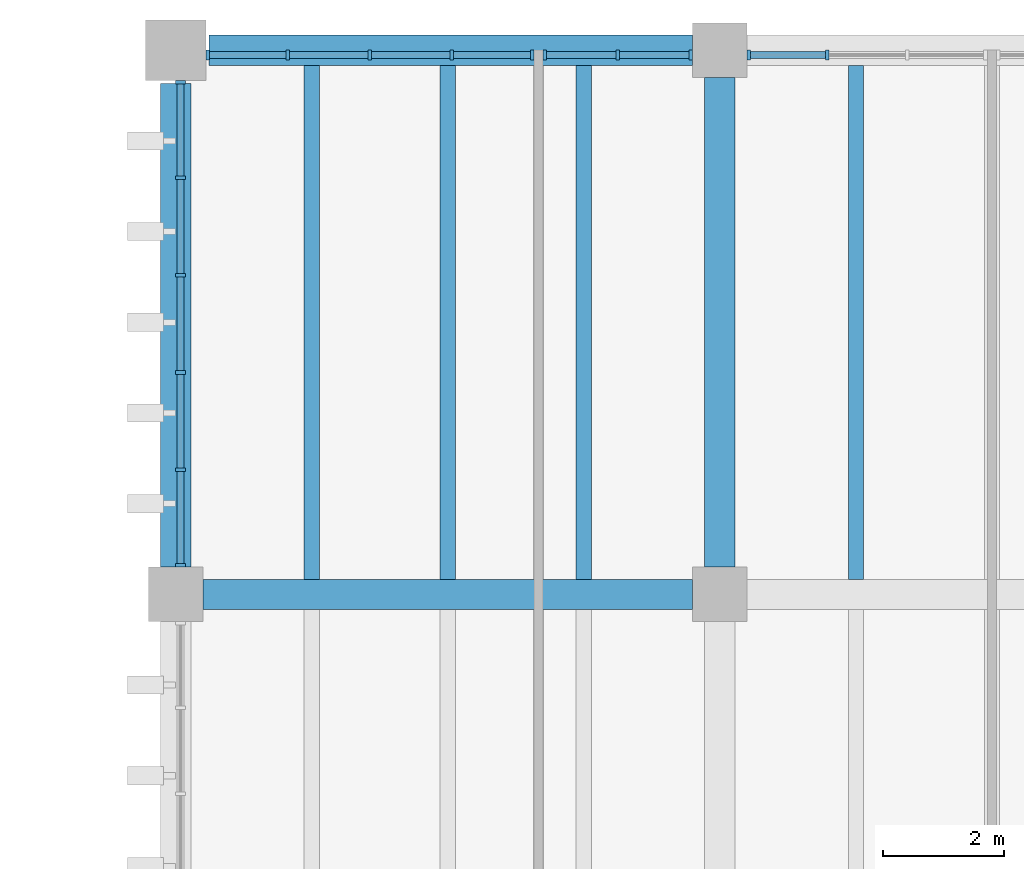
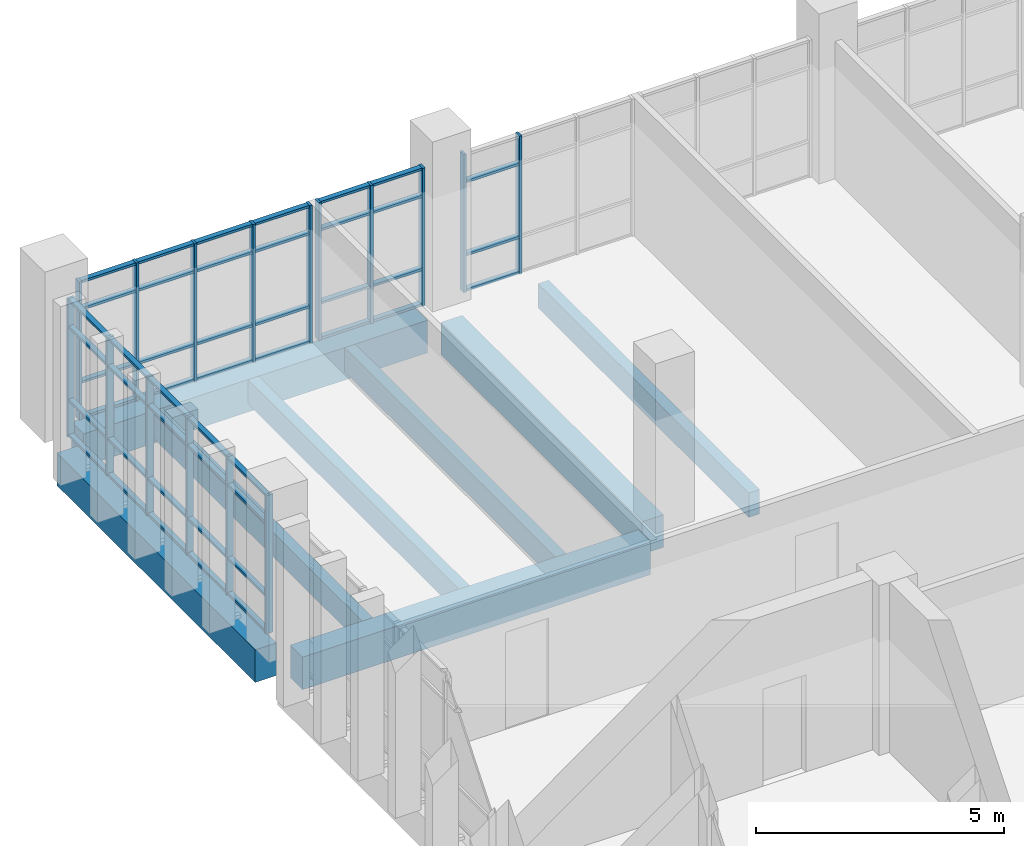
# One storey, part 33 of 88: 63 members, 8 beams, 4 elements without a shape of their own.
"""IFC4 building model written with IfcOpenShell, lengths in metres."""

from ifc_helpers import new_model, si_unit, direction, frame, origin, origin_2d, place, context, subcontext, project, spatial, rectangle, extrude, material, material_profile, profile_set, type_object, element, aggregate, save


model = new_model("IFC4")

# Units and contexts
model_context = context("Model", 3, precision=1e-05, world=origin(), true_north=direction((0.0, 1.0)))
body_context = subcontext(model_context, "Body", "Model", "MODEL_VIEW")
ifc_project = project(units=[si_unit("LENGTHUNIT", "METRE"), si_unit("AREAUNIT", "SQUARE_METRE"), si_unit("VOLUMEUNIT", "CUBIC_METRE"), si_unit("PLANEANGLEUNIT", "RADIAN"), si_unit("MASSUNIT", "GRAM", prefix="KILO")], contexts=[model_context])

# Site, building, storey
site_placement = place(None, origin())
site = spatial("IfcSite", under=ifc_project, at=site_placement, CompositionType="ELEMENT")
building_placement = place(site_placement, origin())
building = spatial("IfcBuilding", under=site, at=building_placement, Name="Merrow Basin Faculty of Sciences", CompositionType="ELEMENT")
storey_placement = place(building_placement, frame((0.0, 0.0, 9.0)))
storey = spatial("IfcBuildingStorey", under=building, at=storey_placement, Name="L02", CompositionType="ELEMENT", Elevation=9.0)

# Curtain wall, members
ifc_material_1 = material(Name="Aluminium alloy 6063", Category="aluminium")
curtain_wall_type = type_object("IfcCurtainWallType", Name="Unitised curtain wall 160", PredefinedType="NOTDEFINED", material=ifc_material_1)
curtain_wall_1_placement = place(storey_placement, origin())
curtain_wall_1 = element("IfcCurtainWall", 1, at=curtain_wall_1_placement, inside=storey, type_object=curtain_wall_type, Name="W curtain wall L02 3", PredefinedType="NOTDEFINED")
ifc_material_2 = material(Name="Aluminium alloy 6063", Category="aluminium")
ifc_material_profile_1 = material_profile(ifc_material_2, rectangle(XDim=0.159912109375, YDim=0.06005859375, at=origin_2d()))
ifc_profile_set_1 = profile_set([ifc_material_profile_1], Name="Aluminium alloy 6063")
member_type_1 = type_object("IfcMemberType", Name="Aluminium mullion 60x160", PredefinedType="MULLION", material=ifc_profile_set_1)
member_1_placement = place(storey_placement, frame((18.080078125, 160.47998046875, 0.0), z_axis=(0.0, 0.0, 1.0), x_axis=(-1.0, 0.0, 0.0)))
member_1 = element("IfcMember", 2, at=member_1_placement, type_object=member_type_1, Name="CW3 mullion 1", PredefinedType="MULLION", context=body_context, shape_type="SweptSolid", body=[
    extrude(rectangle(XDim=0.159912109375, YDim=0.06005859375, at=origin_2d()), origin(), (0.0, 0.0, 1.0), 3.39990234375),
])
member_2_placement = place(storey_placement, frame((18.080078125, 162.06005859375, 0.0), z_axis=(0.0, 0.0, 1.0), x_axis=(-1.0, 0.0, 0.0)))
member_2 = element("IfcMember", 3, at=member_2_placement, type_object=member_type_1, Name="CW3 mullion 2", PredefinedType="MULLION", context=body_context, shape_type="SweptSolid", body=[
    extrude(rectangle(XDim=0.159912109375, YDim=0.06005859375, at=origin_2d()), origin(), (0.0, 0.0, 1.0), 3.39990234375),
])
member_3_placement = place(storey_placement, frame((18.080078125, 163.669921875, 0.0), z_axis=(0.0, 0.0, 1.0), x_axis=(-1.0, 0.0, 0.0)))
member_3 = element("IfcMember", 4, at=member_3_placement, type_object=member_type_1, Name="CW3 mullion 3", PredefinedType="MULLION", context=body_context, shape_type="SweptSolid", body=[
    extrude(rectangle(XDim=0.159912109375, YDim=0.06005859375, at=origin_2d()), origin(), (0.0, 0.0, 1.0), 3.39990234375),
])
member_4_placement = place(storey_placement, frame((18.080078125, 165.280029296875, 0.0), z_axis=(0.0, 0.0, 1.0), x_axis=(-1.0, 0.0, 0.0)))
member_4 = element("IfcMember", 5, at=member_4_placement, type_object=member_type_1, Name="CW3 mullion 4", PredefinedType="MULLION", context=body_context, shape_type="SweptSolid", body=[
    extrude(rectangle(XDim=0.159912109375, YDim=0.06005859375, at=origin_2d()), origin(), (0.0, 0.0, 1.0), 3.39990234375),
])
member_5_placement = place(storey_placement, frame((18.080078125, 166.889892578125, 0.0), z_axis=(0.0, 0.0, 1.0), x_axis=(-1.0, 0.0, 0.0)))
member_5 = element("IfcMember", 6, at=member_5_placement, type_object=member_type_1, Name="CW3 mullion 5", PredefinedType="MULLION", context=body_context, shape_type="SweptSolid", body=[
    extrude(rectangle(XDim=0.159912109375, YDim=0.06005859375, at=origin_2d()), origin(), (0.0, 0.0, 1.0), 3.39990234375),
])
member_6_placement = place(storey_placement, frame((18.080078125, 168.469970703125, 0.0), z_axis=(0.0, 0.0, 1.0), x_axis=(-1.0, 0.0, 0.0)))
member_6 = element("IfcMember", 7, at=member_6_placement, type_object=member_type_1, Name="CW3 mullion 6", PredefinedType="MULLION", context=body_context, shape_type="SweptSolid", body=[
    extrude(rectangle(XDim=0.159912109375, YDim=0.06005859375, at=origin_2d()), origin(), (0.0, 0.0, 1.0), 3.39990234375),
])

curtain_wall_2_placement = place(storey_placement, origin())
curtain_wall_2 = element("IfcCurtainWall", 8, at=curtain_wall_2_placement, inside=storey, type_object=curtain_wall_type, Name="N curtain wall L02 1", PredefinedType="NOTDEFINED")
member_7_placement = place(storey_placement, frame((18.530029296875, 168.919921875, 0.0), z_axis=(0.0, 0.0, 1.0), x_axis=(0.0, 1.0, 0.0)))
member_7 = element("IfcMember", 9, at=member_7_placement, type_object=member_type_1, Name="CW3 mullion 1", PredefinedType="MULLION", context=body_context, shape_type="SweptSolid", body=[
    extrude(rectangle(XDim=0.159912109375, YDim=0.06005859375, at=origin_2d()), origin(), (0.0, 0.0, 1.0), 3.39990234375),
])
member_8_placement = place(storey_placement, frame((19.856201171875, 168.919921875, 0.0), z_axis=(0.0, 0.0, 1.0), x_axis=(0.0, 1.0, 0.0)))
member_8 = element("IfcMember", 10, at=member_8_placement, type_object=member_type_1, Name="CW3 mullion 2", PredefinedType="MULLION", context=body_context, shape_type="SweptSolid", body=[
    extrude(rectangle(XDim=0.159912109375, YDim=0.06005859375, at=origin_2d()), origin(), (0.0, 0.0, 1.0), 3.39990234375),
])
member_9_placement = place(storey_placement, frame((21.21240234375, 168.919921875, 0.0), z_axis=(0.0, 0.0, 1.0), x_axis=(0.0, 1.0, 0.0)))
member_9 = element("IfcMember", 11, at=member_9_placement, type_object=member_type_1, Name="CW3 mullion 3", PredefinedType="MULLION", context=body_context, shape_type="SweptSolid", body=[
    extrude(rectangle(XDim=0.159912109375, YDim=0.06005859375, at=origin_2d()), origin(), (0.0, 0.0, 1.0), 3.39990234375),
])
member_10_placement = place(storey_placement, frame((22.56884765625, 168.919921875, 0.0), z_axis=(0.0, 0.0, 1.0), x_axis=(0.0, 1.0, 0.0)))
member_10 = element("IfcMember", 12, at=member_10_placement, type_object=member_type_1, Name="CW3 mullion 4", PredefinedType="MULLION", context=body_context, shape_type="SweptSolid", body=[
    extrude(rectangle(XDim=0.159912109375, YDim=0.06005859375, at=origin_2d()), origin(), (0.0, 0.0, 1.0), 3.39990234375),
])
member_11_placement = place(storey_placement, frame((23.89501953125, 168.919921875, 0.0), z_axis=(0.0, 0.0, 1.0), x_axis=(0.0, 1.0, 0.0)))
member_11 = element("IfcMember", 13, at=member_11_placement, type_object=member_type_1, Name="CW3 mullion 5", PredefinedType="MULLION", context=body_context, shape_type="SweptSolid", body=[
    extrude(rectangle(XDim=0.159912109375, YDim=0.06005859375, at=origin_2d()), origin(), (0.0, 0.0, 1.0), 3.39990234375),
])

curtain_wall_3_placement = place(storey_placement, origin())
curtain_wall_3 = element("IfcCurtainWall", 14, at=curtain_wall_3_placement, inside=storey, type_object=curtain_wall_type, Name="N curtain wall L02 2", PredefinedType="NOTDEFINED")
member_12_placement = place(storey_placement, frame((24.10498046875, 168.919921875, 0.0), z_axis=(0.0, 0.0, 1.0), x_axis=(0.0, 1.0, 0.0)))
member_12 = element("IfcMember", 15, at=member_12_placement, type_object=member_type_1, Name="CW3 mullion 1", PredefinedType="MULLION", context=body_context, shape_type="SweptSolid", body=[
    extrude(rectangle(XDim=0.159912109375, YDim=0.06005859375, at=origin_2d()), origin(), (0.0, 0.0, 1.0), 3.39990234375),
])
member_13_placement = place(storey_placement, frame((25.3125, 168.919921875, 0.0), z_axis=(0.0, 0.0, 1.0), x_axis=(0.0, 1.0, 0.0)))
member_13 = element("IfcMember", 16, at=member_13_placement, type_object=member_type_1, Name="CW3 mullion 2", PredefinedType="MULLION", context=body_context, shape_type="SweptSolid", body=[
    extrude(rectangle(XDim=0.159912109375, YDim=0.06005859375, at=origin_2d()), origin(), (0.0, 0.0, 1.0), 3.39990234375),
])
member_14_placement = place(storey_placement, frame((26.52001953125, 168.919921875, 0.0), z_axis=(0.0, 0.0, 1.0), x_axis=(0.0, 1.0, 0.0)))
member_14 = element("IfcMember", 17, at=member_14_placement, type_object=member_type_1, Name="CW3 mullion 3", PredefinedType="MULLION", context=body_context, shape_type="SweptSolid", body=[
    extrude(rectangle(XDim=0.159912109375, YDim=0.06005859375, at=origin_2d()), origin(), (0.0, 0.0, 1.0), 3.39990234375),
])

curtain_wall_4_placement = place(storey_placement, origin())
curtain_wall_4 = element("IfcCurtainWall", 18, at=curtain_wall_4_placement, inside=storey, type_object=curtain_wall_type, Name="N curtain wall L02 3", PredefinedType="NOTDEFINED")
member_15_placement = place(storey_placement, frame((27.47998046875, 168.919921875, 0.0), z_axis=(0.0, 0.0, 1.0), x_axis=(0.0, 1.0, 0.0)))
member_15 = element("IfcMember", 19, at=member_15_placement, type_object=member_type_1, Name="CW3 mullion 1", PredefinedType="MULLION", context=body_context, shape_type="SweptSolid", body=[
    extrude(rectangle(XDim=0.159912109375, YDim=0.06005859375, at=origin_2d()), origin(), (0.0, 0.0, 1.0), 3.39990234375),
])
member_16_placement = place(storey_placement, frame((28.77490234375, 168.919921875, 0.0), z_axis=(0.0, 0.0, 1.0), x_axis=(0.0, 1.0, 0.0)))
member_16 = element("IfcMember", 20, at=member_16_placement, type_object=member_type_1, Name="CW3 mullion 2", PredefinedType="MULLION", context=body_context, shape_type="SweptSolid", body=[
    extrude(rectangle(XDim=0.159912109375, YDim=0.06005859375, at=origin_2d()), origin(), (0.0, 0.0, 1.0), 3.39990234375),
])

# Member
ifc_material_3 = material(Name="Aluminium alloy 6063", Category="aluminium")
ifc_material_profile_2 = material_profile(ifc_material_3, rectangle(XDim=0.1201171875, YDim=0.06005859375, at=origin_2d()))
ifc_profile_set_2 = profile_set([ifc_material_profile_2], Name="Aluminium alloy 6063")
member_type_2 = type_object("IfcMemberType", Name="Aluminium transom 60x120", PredefinedType="USERDEFINED", material=ifc_profile_set_2)
member_17_placement = place(storey_placement, frame((18.080078125, 160.510009765625, 0.030029296875), z_axis=(0.0, 1.0, 0.0), x_axis=(-1.0, 0.0, 0.0)))
member_17 = element("IfcMember", 21, at=member_17_placement, type_object=member_type_2, Name="CW3 transom 1.1", ObjectType="TRANSOM", PredefinedType="USERDEFINED", context=body_context, shape_type="SweptSolid", body=[
    extrude(rectangle(XDim=0.1201171875, YDim=0.06005859375, at=origin_2d()), origin(), (0.0, 0.0, 1.0), 1.52001953125),
])

member_18_placement = place(storey_placement, frame((18.080078125, 160.510009765625, 0.89990234375), z_axis=(0.0, 1.0, 0.0), x_axis=(-1.0, 0.0, 0.0)))
member_18 = element("IfcMember", 22, at=member_18_placement, type_object=member_type_2, Name="CW3 transom 1.2", ObjectType="TRANSOM", PredefinedType="USERDEFINED", context=body_context, shape_type="SweptSolid", body=[
    extrude(rectangle(XDim=0.1201171875, YDim=0.06005859375, at=origin_2d()), origin(), (0.0, 0.0, 1.0), 1.52001953125),
])

member_19_placement = place(storey_placement, frame((18.080078125, 160.510009765625, 2.699951171875), z_axis=(0.0, 1.0, 0.0), x_axis=(-1.0, 0.0, 0.0)))
member_19 = element("IfcMember", 23, at=member_19_placement, type_object=member_type_2, Name="CW3 transom 1.3", ObjectType="TRANSOM", PredefinedType="USERDEFINED", context=body_context, shape_type="SweptSolid", body=[
    extrude(rectangle(XDim=0.1201171875, YDim=0.06005859375, at=origin_2d()), origin(), (0.0, 0.0, 1.0), 1.52001953125),
])

member_20_placement = place(storey_placement, frame((18.080078125, 160.510009765625, 3.3701171875), z_axis=(0.0, 1.0, 0.0), x_axis=(-1.0, 0.0, 0.0)))
member_20 = element("IfcMember", 24, at=member_20_placement, type_object=member_type_2, Name="CW3 transom 1.4", ObjectType="TRANSOM", PredefinedType="USERDEFINED", context=body_context, shape_type="SweptSolid", body=[
    extrude(rectangle(XDim=0.1201171875, YDim=0.06005859375, at=origin_2d()), origin(), (0.0, 0.0, 1.0), 1.52001953125),
])

member_21_placement = place(storey_placement, frame((18.080078125, 162.090087890625, 0.030029296875), z_axis=(0.0, 1.0, 0.0), x_axis=(-1.0, 0.0, 0.0)))
member_21 = element("IfcMember", 25, at=member_21_placement, type_object=member_type_2, Name="CW3 transom 2.1", ObjectType="TRANSOM", PredefinedType="USERDEFINED", context=body_context, shape_type="SweptSolid", body=[
    extrude(rectangle(XDim=0.1201171875, YDim=0.06005859375, at=origin_2d()), origin(), (0.0, 0.0, 1.0), 1.5498046875),
])

member_22_placement = place(storey_placement, frame((18.080078125, 162.090087890625, 0.89990234375), z_axis=(0.0, 1.0, 0.0), x_axis=(-1.0, 0.0, 0.0)))
member_22 = element("IfcMember", 26, at=member_22_placement, type_object=member_type_2, Name="CW3 transom 2.2", ObjectType="TRANSOM", PredefinedType="USERDEFINED", context=body_context, shape_type="SweptSolid", body=[
    extrude(rectangle(XDim=0.1201171875, YDim=0.06005859375, at=origin_2d()), origin(), (0.0, 0.0, 1.0), 1.5498046875),
])

member_23_placement = place(storey_placement, frame((18.080078125, 162.090087890625, 2.699951171875), z_axis=(0.0, 1.0, 0.0), x_axis=(-1.0, 0.0, 0.0)))
member_23 = element("IfcMember", 27, at=member_23_placement, type_object=member_type_2, Name="CW3 transom 2.3", ObjectType="TRANSOM", PredefinedType="USERDEFINED", context=body_context, shape_type="SweptSolid", body=[
    extrude(rectangle(XDim=0.1201171875, YDim=0.06005859375, at=origin_2d()), origin(), (0.0, 0.0, 1.0), 1.5498046875),
])

member_24_placement = place(storey_placement, frame((18.080078125, 162.090087890625, 3.3701171875), z_axis=(0.0, 1.0, 0.0), x_axis=(-1.0, 0.0, 0.0)))
member_24 = element("IfcMember", 28, at=member_24_placement, type_object=member_type_2, Name="CW3 transom 2.4", ObjectType="TRANSOM", PredefinedType="USERDEFINED", context=body_context, shape_type="SweptSolid", body=[
    extrude(rectangle(XDim=0.1201171875, YDim=0.06005859375, at=origin_2d()), origin(), (0.0, 0.0, 1.0), 1.5498046875),
])

member_25_placement = place(storey_placement, frame((18.080078125, 163.699951171875, 0.030029296875), z_axis=(0.0, 1.0, 0.0), x_axis=(-1.0, 0.0, 0.0)))
member_25 = element("IfcMember", 29, at=member_25_placement, type_object=member_type_2, Name="CW3 transom 3.1", ObjectType="TRANSOM", PredefinedType="USERDEFINED", context=body_context, shape_type="SweptSolid", body=[
    extrude(rectangle(XDim=0.1201171875, YDim=0.06005859375, at=origin_2d()), origin(), (0.0, 0.0, 1.0), 1.550048828125),
])

member_26_placement = place(storey_placement, frame((18.080078125, 163.699951171875, 0.89990234375), z_axis=(0.0, 1.0, 0.0), x_axis=(-1.0, 0.0, 0.0)))
member_26 = element("IfcMember", 30, at=member_26_placement, type_object=member_type_2, Name="CW3 transom 3.2", ObjectType="TRANSOM", PredefinedType="USERDEFINED", context=body_context, shape_type="SweptSolid", body=[
    extrude(rectangle(XDim=0.1201171875, YDim=0.06005859375, at=origin_2d()), origin(), (0.0, 0.0, 1.0), 1.550048828125),
])

member_27_placement = place(storey_placement, frame((18.080078125, 163.699951171875, 2.699951171875), z_axis=(0.0, 1.0, 0.0), x_axis=(-1.0, 0.0, 0.0)))
member_27 = element("IfcMember", 31, at=member_27_placement, type_object=member_type_2, Name="CW3 transom 3.3", ObjectType="TRANSOM", PredefinedType="USERDEFINED", context=body_context, shape_type="SweptSolid", body=[
    extrude(rectangle(XDim=0.1201171875, YDim=0.06005859375, at=origin_2d()), origin(), (0.0, 0.0, 1.0), 1.550048828125),
])

member_28_placement = place(storey_placement, frame((18.080078125, 163.699951171875, 3.3701171875), z_axis=(0.0, 1.0, 0.0), x_axis=(-1.0, 0.0, 0.0)))
member_28 = element("IfcMember", 32, at=member_28_placement, type_object=member_type_2, Name="CW3 transom 3.4", ObjectType="TRANSOM", PredefinedType="USERDEFINED", context=body_context, shape_type="SweptSolid", body=[
    extrude(rectangle(XDim=0.1201171875, YDim=0.06005859375, at=origin_2d()), origin(), (0.0, 0.0, 1.0), 1.550048828125),
])

member_29_placement = place(storey_placement, frame((18.080078125, 165.31005859375, 0.030029296875), z_axis=(0.0, 1.0, 0.0), x_axis=(-1.0, 0.0, 0.0)))
member_29 = element("IfcMember", 33, at=member_29_placement, type_object=member_type_2, Name="CW3 transom 4.1", ObjectType="TRANSOM", PredefinedType="USERDEFINED", context=body_context, shape_type="SweptSolid", body=[
    extrude(rectangle(XDim=0.1201171875, YDim=0.06005859375, at=origin_2d()), origin(), (0.0, 0.0, 1.0), 1.550048828125),
])

member_30_placement = place(storey_placement, frame((18.080078125, 165.31005859375, 0.89990234375), z_axis=(0.0, 1.0, 0.0), x_axis=(-1.0, 0.0, 0.0)))
member_30 = element("IfcMember", 34, at=member_30_placement, type_object=member_type_2, Name="CW3 transom 4.2", ObjectType="TRANSOM", PredefinedType="USERDEFINED", context=body_context, shape_type="SweptSolid", body=[
    extrude(rectangle(XDim=0.1201171875, YDim=0.06005859375, at=origin_2d()), origin(), (0.0, 0.0, 1.0), 1.550048828125),
])

member_31_placement = place(storey_placement, frame((18.080078125, 165.31005859375, 2.699951171875), z_axis=(0.0, 1.0, 0.0), x_axis=(-1.0, 0.0, 0.0)))
member_31 = element("IfcMember", 35, at=member_31_placement, type_object=member_type_2, Name="CW3 transom 4.3", ObjectType="TRANSOM", PredefinedType="USERDEFINED", context=body_context, shape_type="SweptSolid", body=[
    extrude(rectangle(XDim=0.1201171875, YDim=0.06005859375, at=origin_2d()), origin(), (0.0, 0.0, 1.0), 1.550048828125),
])

member_32_placement = place(storey_placement, frame((18.080078125, 165.31005859375, 3.3701171875), z_axis=(0.0, 1.0, 0.0), x_axis=(-1.0, 0.0, 0.0)))
member_32 = element("IfcMember", 36, at=member_32_placement, type_object=member_type_2, Name="CW3 transom 4.4", ObjectType="TRANSOM", PredefinedType="USERDEFINED", context=body_context, shape_type="SweptSolid", body=[
    extrude(rectangle(XDim=0.1201171875, YDim=0.06005859375, at=origin_2d()), origin(), (0.0, 0.0, 1.0), 1.550048828125),
])

member_33_placement = place(storey_placement, frame((18.080078125, 166.919921875, 0.030029296875), z_axis=(0.0, 1.0, 0.0), x_axis=(-1.0, 0.0, 0.0)))
member_33 = element("IfcMember", 37, at=member_33_placement, type_object=member_type_2, Name="CW3 transom 5.1", ObjectType="TRANSOM", PredefinedType="USERDEFINED", context=body_context, shape_type="SweptSolid", body=[
    extrude(rectangle(XDim=0.1201171875, YDim=0.06005859375, at=origin_2d()), origin(), (0.0, 0.0, 1.0), 1.52001953125),
])

member_34_placement = place(storey_placement, frame((18.080078125, 166.919921875, 0.89990234375), z_axis=(0.0, 1.0, 0.0), x_axis=(-1.0, 0.0, 0.0)))
member_34 = element("IfcMember", 38, at=member_34_placement, type_object=member_type_2, Name="CW3 transom 5.2", ObjectType="TRANSOM", PredefinedType="USERDEFINED", context=body_context, shape_type="SweptSolid", body=[
    extrude(rectangle(XDim=0.1201171875, YDim=0.06005859375, at=origin_2d()), origin(), (0.0, 0.0, 1.0), 1.52001953125),
])

member_35_placement = place(storey_placement, frame((18.080078125, 166.919921875, 2.699951171875), z_axis=(0.0, 1.0, 0.0), x_axis=(-1.0, 0.0, 0.0)))
member_35 = element("IfcMember", 39, at=member_35_placement, type_object=member_type_2, Name="CW3 transom 5.3", ObjectType="TRANSOM", PredefinedType="USERDEFINED", context=body_context, shape_type="SweptSolid", body=[
    extrude(rectangle(XDim=0.1201171875, YDim=0.06005859375, at=origin_2d()), origin(), (0.0, 0.0, 1.0), 1.52001953125),
])

member_36_placement = place(storey_placement, frame((18.080078125, 166.919921875, 3.3701171875), z_axis=(0.0, 1.0, 0.0), x_axis=(-1.0, 0.0, 0.0)))
member_36 = element("IfcMember", 40, at=member_36_placement, type_object=member_type_2, Name="CW3 transom 5.4", ObjectType="TRANSOM", PredefinedType="USERDEFINED", context=body_context, shape_type="SweptSolid", body=[
    extrude(rectangle(XDim=0.1201171875, YDim=0.06005859375, at=origin_2d()), origin(), (0.0, 0.0, 1.0), 1.52001953125),
])

aggregate(curtain_wall_1, [member_1, member_2, member_3, member_4, member_5, member_6, member_17, member_18, member_19, member_20, member_21, member_22, member_23, member_24, member_25, member_26, member_27, member_28, member_29, member_30, member_31, member_32, member_33, member_34, member_35, member_36])

member_37_placement = place(storey_placement, frame((18.56005859375, 168.919921875, 0.030029296875), z_axis=(1.0, 0.0, 0.0), x_axis=(0.0, 1.0, 0.0)))
member_37 = element("IfcMember", 41, at=member_37_placement, type_object=member_type_2, Name="CW3 transom 1.1", ObjectType="TRANSOM", PredefinedType="USERDEFINED", context=body_context, shape_type="SweptSolid", body=[
    extrude(rectangle(XDim=0.1201171875, YDim=0.06005859375, at=origin_2d()), origin(), (0.0, 0.0, 1.0), 1.26611328125),
])

member_38_placement = place(storey_placement, frame((18.56005859375, 168.919921875, 0.89990234375), z_axis=(1.0, 0.0, 0.0), x_axis=(0.0, 1.0, 0.0)))
member_38 = element("IfcMember", 42, at=member_38_placement, type_object=member_type_2, Name="CW3 transom 1.2", ObjectType="TRANSOM", PredefinedType="USERDEFINED", context=body_context, shape_type="SweptSolid", body=[
    extrude(rectangle(XDim=0.1201171875, YDim=0.06005859375, at=origin_2d()), origin(), (0.0, 0.0, 1.0), 1.26611328125),
])

member_39_placement = place(storey_placement, frame((18.56005859375, 168.919921875, 2.699951171875), z_axis=(1.0, 0.0, 0.0), x_axis=(0.0, 1.0, 0.0)))
member_39 = element("IfcMember", 43, at=member_39_placement, type_object=member_type_2, Name="CW3 transom 1.3", ObjectType="TRANSOM", PredefinedType="USERDEFINED", context=body_context, shape_type="SweptSolid", body=[
    extrude(rectangle(XDim=0.1201171875, YDim=0.06005859375, at=origin_2d()), origin(), (0.0, 0.0, 1.0), 1.26611328125),
])

member_40_placement = place(storey_placement, frame((18.56005859375, 168.919921875, 3.3701171875), z_axis=(1.0, 0.0, 0.0), x_axis=(0.0, 1.0, 0.0)))
member_40 = element("IfcMember", 44, at=member_40_placement, type_object=member_type_2, Name="CW3 transom 1.4", ObjectType="TRANSOM", PredefinedType="USERDEFINED", context=body_context, shape_type="SweptSolid", body=[
    extrude(rectangle(XDim=0.1201171875, YDim=0.06005859375, at=origin_2d()), origin(), (0.0, 0.0, 1.0), 1.26611328125),
])

member_41_placement = place(storey_placement, frame((19.88623046875, 168.919921875, 0.030029296875), z_axis=(1.0, 0.0, 0.0), x_axis=(0.0, 1.0, 0.0)))
member_41 = element("IfcMember", 45, at=member_41_placement, type_object=member_type_2, Name="CW3 transom 2.1", ObjectType="TRANSOM", PredefinedType="USERDEFINED", context=body_context, shape_type="SweptSolid", body=[
    extrude(rectangle(XDim=0.1201171875, YDim=0.06005859375, at=origin_2d()), origin(), (0.0, 0.0, 1.0), 1.29638671875),
])

member_42_placement = place(storey_placement, frame((19.88623046875, 168.919921875, 0.89990234375), z_axis=(1.0, 0.0, 0.0), x_axis=(0.0, 1.0, 0.0)))
member_42 = element("IfcMember", 46, at=member_42_placement, type_object=member_type_2, Name="CW3 transom 2.2", ObjectType="TRANSOM", PredefinedType="USERDEFINED", context=body_context, shape_type="SweptSolid", body=[
    extrude(rectangle(XDim=0.1201171875, YDim=0.06005859375, at=origin_2d()), origin(), (0.0, 0.0, 1.0), 1.29638671875),
])

member_43_placement = place(storey_placement, frame((19.88623046875, 168.919921875, 2.699951171875), z_axis=(1.0, 0.0, 0.0), x_axis=(0.0, 1.0, 0.0)))
member_43 = element("IfcMember", 47, at=member_43_placement, type_object=member_type_2, Name="CW3 transom 2.3", ObjectType="TRANSOM", PredefinedType="USERDEFINED", context=body_context, shape_type="SweptSolid", body=[
    extrude(rectangle(XDim=0.1201171875, YDim=0.06005859375, at=origin_2d()), origin(), (0.0, 0.0, 1.0), 1.29638671875),
])

member_44_placement = place(storey_placement, frame((19.88623046875, 168.919921875, 3.3701171875), z_axis=(1.0, 0.0, 0.0), x_axis=(0.0, 1.0, 0.0)))
member_44 = element("IfcMember", 48, at=member_44_placement, type_object=member_type_2, Name="CW3 transom 2.4", ObjectType="TRANSOM", PredefinedType="USERDEFINED", context=body_context, shape_type="SweptSolid", body=[
    extrude(rectangle(XDim=0.1201171875, YDim=0.06005859375, at=origin_2d()), origin(), (0.0, 0.0, 1.0), 1.29638671875),
])

member_45_placement = place(storey_placement, frame((21.242431640625, 168.919921875, 0.030029296875), z_axis=(1.0, 0.0, 0.0), x_axis=(0.0, 1.0, 0.0)))
member_45 = element("IfcMember", 49, at=member_45_placement, type_object=member_type_2, Name="CW3 transom 3.1", ObjectType="TRANSOM", PredefinedType="USERDEFINED", context=body_context, shape_type="SweptSolid", body=[
    extrude(rectangle(XDim=0.1201171875, YDim=0.06005859375, at=origin_2d()), origin(), (0.0, 0.0, 1.0), 1.29638671875),
])

member_46_placement = place(storey_placement, frame((21.242431640625, 168.919921875, 0.89990234375), z_axis=(1.0, 0.0, 0.0), x_axis=(0.0, 1.0, 0.0)))
member_46 = element("IfcMember", 50, at=member_46_placement, type_object=member_type_2, Name="CW3 transom 3.2", ObjectType="TRANSOM", PredefinedType="USERDEFINED", context=body_context, shape_type="SweptSolid", body=[
    extrude(rectangle(XDim=0.1201171875, YDim=0.06005859375, at=origin_2d()), origin(), (0.0, 0.0, 1.0), 1.29638671875),
])

member_47_placement = place(storey_placement, frame((21.242431640625, 168.919921875, 2.699951171875), z_axis=(1.0, 0.0, 0.0), x_axis=(0.0, 1.0, 0.0)))
member_47 = element("IfcMember", 51, at=member_47_placement, type_object=member_type_2, Name="CW3 transom 3.3", ObjectType="TRANSOM", PredefinedType="USERDEFINED", context=body_context, shape_type="SweptSolid", body=[
    extrude(rectangle(XDim=0.1201171875, YDim=0.06005859375, at=origin_2d()), origin(), (0.0, 0.0, 1.0), 1.29638671875),
])

member_48_placement = place(storey_placement, frame((21.242431640625, 168.919921875, 3.3701171875), z_axis=(1.0, 0.0, 0.0), x_axis=(0.0, 1.0, 0.0)))
member_48 = element("IfcMember", 52, at=member_48_placement, type_object=member_type_2, Name="CW3 transom 3.4", ObjectType="TRANSOM", PredefinedType="USERDEFINED", context=body_context, shape_type="SweptSolid", body=[
    extrude(rectangle(XDim=0.1201171875, YDim=0.06005859375, at=origin_2d()), origin(), (0.0, 0.0, 1.0), 1.29638671875),
])

member_49_placement = place(storey_placement, frame((22.5986328125, 168.919921875, 0.030029296875), z_axis=(1.0, 0.0, 0.0), x_axis=(0.0, 1.0, 0.0)))
member_49 = element("IfcMember", 53, at=member_49_placement, type_object=member_type_2, Name="CW3 transom 4.1", ObjectType="TRANSOM", PredefinedType="USERDEFINED", context=body_context, shape_type="SweptSolid", body=[
    extrude(rectangle(XDim=0.1201171875, YDim=0.06005859375, at=origin_2d()), origin(), (0.0, 0.0, 1.0), 1.266357421875),
])

member_50_placement = place(storey_placement, frame((22.5986328125, 168.919921875, 0.89990234375), z_axis=(1.0, 0.0, 0.0), x_axis=(0.0, 1.0, 0.0)))
member_50 = element("IfcMember", 54, at=member_50_placement, type_object=member_type_2, Name="CW3 transom 4.2", ObjectType="TRANSOM", PredefinedType="USERDEFINED", context=body_context, shape_type="SweptSolid", body=[
    extrude(rectangle(XDim=0.1201171875, YDim=0.06005859375, at=origin_2d()), origin(), (0.0, 0.0, 1.0), 1.266357421875),
])

member_51_placement = place(storey_placement, frame((22.5986328125, 168.919921875, 2.699951171875), z_axis=(1.0, 0.0, 0.0), x_axis=(0.0, 1.0, 0.0)))
member_51 = element("IfcMember", 55, at=member_51_placement, type_object=member_type_2, Name="CW3 transom 4.3", ObjectType="TRANSOM", PredefinedType="USERDEFINED", context=body_context, shape_type="SweptSolid", body=[
    extrude(rectangle(XDim=0.1201171875, YDim=0.06005859375, at=origin_2d()), origin(), (0.0, 0.0, 1.0), 1.266357421875),
])

member_52_placement = place(storey_placement, frame((22.5986328125, 168.919921875, 3.3701171875), z_axis=(1.0, 0.0, 0.0), x_axis=(0.0, 1.0, 0.0)))
member_52 = element("IfcMember", 56, at=member_52_placement, type_object=member_type_2, Name="CW3 transom 4.4", ObjectType="TRANSOM", PredefinedType="USERDEFINED", context=body_context, shape_type="SweptSolid", body=[
    extrude(rectangle(XDim=0.1201171875, YDim=0.06005859375, at=origin_2d()), origin(), (0.0, 0.0, 1.0), 1.266357421875),
])

aggregate(curtain_wall_2, [member_7, member_8, member_9, member_10, member_11, member_37, member_38, member_39, member_40, member_41, member_42, member_43, member_44, member_45, member_46, member_47, member_48, member_49, member_50, member_51, member_52])

member_53_placement = place(storey_placement, frame((24.135009765625, 168.919921875, 0.030029296875), z_axis=(1.0, 0.0, 0.0), x_axis=(0.0, 1.0, 0.0)))
member_53 = element("IfcMember", 57, at=member_53_placement, type_object=member_type_2, Name="CW3 transom 1.1", ObjectType="TRANSOM", PredefinedType="USERDEFINED", context=body_context, shape_type="SweptSolid", body=[
    extrude(rectangle(XDim=0.1201171875, YDim=0.06005859375, at=origin_2d()), origin(), (0.0, 0.0, 1.0), 1.1474609375),
])

member_54_placement = place(storey_placement, frame((24.135009765625, 168.919921875, 0.89990234375), z_axis=(1.0, 0.0, 0.0), x_axis=(0.0, 1.0, 0.0)))
member_54 = element("IfcMember", 58, at=member_54_placement, type_object=member_type_2, Name="CW3 transom 1.2", ObjectType="TRANSOM", PredefinedType="USERDEFINED", context=body_context, shape_type="SweptSolid", body=[
    extrude(rectangle(XDim=0.1201171875, YDim=0.06005859375, at=origin_2d()), origin(), (0.0, 0.0, 1.0), 1.1474609375),
])

member_55_placement = place(storey_placement, frame((24.135009765625, 168.919921875, 2.699951171875), z_axis=(1.0, 0.0, 0.0), x_axis=(0.0, 1.0, 0.0)))
member_55 = element("IfcMember", 59, at=member_55_placement, type_object=member_type_2, Name="CW3 transom 1.3", ObjectType="TRANSOM", PredefinedType="USERDEFINED", context=body_context, shape_type="SweptSolid", body=[
    extrude(rectangle(XDim=0.1201171875, YDim=0.06005859375, at=origin_2d()), origin(), (0.0, 0.0, 1.0), 1.1474609375),
])

member_56_placement = place(storey_placement, frame((24.135009765625, 168.919921875, 3.3701171875), z_axis=(1.0, 0.0, 0.0), x_axis=(0.0, 1.0, 0.0)))
member_56 = element("IfcMember", 60, at=member_56_placement, type_object=member_type_2, Name="CW3 transom 1.4", ObjectType="TRANSOM", PredefinedType="USERDEFINED", context=body_context, shape_type="SweptSolid", body=[
    extrude(rectangle(XDim=0.1201171875, YDim=0.06005859375, at=origin_2d()), origin(), (0.0, 0.0, 1.0), 1.1474609375),
])

member_57_placement = place(storey_placement, frame((25.342529296875, 168.919921875, 0.030029296875), z_axis=(1.0, 0.0, 0.0), x_axis=(0.0, 1.0, 0.0)))
member_57 = element("IfcMember", 61, at=member_57_placement, type_object=member_type_2, Name="CW3 transom 2.1", ObjectType="TRANSOM", PredefinedType="USERDEFINED", context=body_context, shape_type="SweptSolid", body=[
    extrude(rectangle(XDim=0.1201171875, YDim=0.06005859375, at=origin_2d()), origin(), (0.0, 0.0, 1.0), 1.1474609375),
])

member_58_placement = place(storey_placement, frame((25.342529296875, 168.919921875, 0.89990234375), z_axis=(1.0, 0.0, 0.0), x_axis=(0.0, 1.0, 0.0)))
member_58 = element("IfcMember", 62, at=member_58_placement, type_object=member_type_2, Name="CW3 transom 2.2", ObjectType="TRANSOM", PredefinedType="USERDEFINED", context=body_context, shape_type="SweptSolid", body=[
    extrude(rectangle(XDim=0.1201171875, YDim=0.06005859375, at=origin_2d()), origin(), (0.0, 0.0, 1.0), 1.1474609375),
])

member_59_placement = place(storey_placement, frame((25.342529296875, 168.919921875, 2.699951171875), z_axis=(1.0, 0.0, 0.0), x_axis=(0.0, 1.0, 0.0)))
member_59 = element("IfcMember", 63, at=member_59_placement, type_object=member_type_2, Name="CW3 transom 2.3", ObjectType="TRANSOM", PredefinedType="USERDEFINED", context=body_context, shape_type="SweptSolid", body=[
    extrude(rectangle(XDim=0.1201171875, YDim=0.06005859375, at=origin_2d()), origin(), (0.0, 0.0, 1.0), 1.1474609375),
])

member_60_placement = place(storey_placement, frame((25.342529296875, 168.919921875, 3.3701171875), z_axis=(1.0, 0.0, 0.0), x_axis=(0.0, 1.0, 0.0)))
member_60 = element("IfcMember", 64, at=member_60_placement, type_object=member_type_2, Name="CW3 transom 2.4", ObjectType="TRANSOM", PredefinedType="USERDEFINED", context=body_context, shape_type="SweptSolid", body=[
    extrude(rectangle(XDim=0.1201171875, YDim=0.06005859375, at=origin_2d()), origin(), (0.0, 0.0, 1.0), 1.1474609375),
])

aggregate(curtain_wall_3, [member_12, member_13, member_14, member_53, member_54, member_55, member_56, member_57, member_58, member_59, member_60])

member_61_placement = place(storey_placement, frame((27.510009765625, 168.919921875, 0.030029296875), z_axis=(1.0, 0.0, 0.0), x_axis=(0.0, 1.0, 0.0)))
member_61 = element("IfcMember", 65, at=member_61_placement, type_object=member_type_2, Name="CW3 transom 1.1", ObjectType="TRANSOM", PredefinedType="USERDEFINED", context=body_context, shape_type="SweptSolid", body=[
    extrude(rectangle(XDim=0.1201171875, YDim=0.06005859375, at=origin_2d()), origin(), (0.0, 0.0, 1.0), 1.235107421875),
])

member_62_placement = place(storey_placement, frame((27.510009765625, 168.919921875, 0.89990234375), z_axis=(1.0, 0.0, 0.0), x_axis=(0.0, 1.0, 0.0)))
member_62 = element("IfcMember", 66, at=member_62_placement, type_object=member_type_2, Name="CW3 transom 1.2", ObjectType="TRANSOM", PredefinedType="USERDEFINED", context=body_context, shape_type="SweptSolid", body=[
    extrude(rectangle(XDim=0.1201171875, YDim=0.06005859375, at=origin_2d()), origin(), (0.0, 0.0, 1.0), 1.235107421875),
])

member_63_placement = place(storey_placement, frame((27.510009765625, 168.919921875, 2.699951171875), z_axis=(1.0, 0.0, 0.0), x_axis=(0.0, 1.0, 0.0)))
member_63 = element("IfcMember", 67, at=member_63_placement, type_object=member_type_2, Name="CW3 transom 1.3", ObjectType="TRANSOM", PredefinedType="USERDEFINED", context=body_context, shape_type="SweptSolid", body=[
    extrude(rectangle(XDim=0.1201171875, YDim=0.06005859375, at=origin_2d()), origin(), (0.0, 0.0, 1.0), 1.235107421875),
])

aggregate(curtain_wall_4, [member_15, member_16, member_61, member_62, member_63])

# Beams
ifc_material_4 = material(Name="Concrete C40/50", Category="concrete")
ifc_material_profile_3 = material_profile(ifc_material_4, rectangle(XDim=0.5, YDim=0.800048828125, at=origin_2d()))
ifc_profile_set_3 = profile_set([ifc_material_profile_3], Name="Concrete C40/50")
beam_type_1 = type_object("IfcBeamType", Name="Beam RC500x800 C40/50", PredefinedType="BEAM", material=ifc_profile_set_3)
beam_1_placement = place(storey_placement, frame((18.449951171875, 160.0, -0.699951171875), z_axis=(1.0, 0.0, 0.0), x_axis=(0.0, 1.0, 0.0)))
element("IfcBeam", 68, at=beam_1_placement, inside=storey, type_object=beam_type_1, Name="B4 L02 006", PredefinedType="BEAM", context=body_context, shape_type="SweptSolid", body=[
    extrude(rectangle(XDim=0.5, YDim=0.800048828125, at=origin_2d()), origin(), (0.0, 0.0, 1.0), 8.10009765625),
])
for number, where, z_axis, x_axis, name in (
    (69, (18.550048828125, 169.0, -0.699951171875), (1.0, 0.0, 0.0), (0.0, 1.0, 0.0), "B4 L02 009"),
    (70, (18.0, 160.449951171875, -0.699951171875), (0.0, 1.0, 0.0), (-1.0, 0.0, 0.0), "B4 L02 014"),
):
    element("IfcBeam", number, at=place(storey_placement, frame(where, z_axis=z_axis, x_axis=x_axis)), inside=storey, type_object=beam_type_1, Name=name, PredefinedType="BEAM", context=body_context, shape_type="SweptSolid", body=[
        extrude(rectangle(XDim=0.5, YDim=0.800048828125, at=origin_2d()), origin(), (0.0, 0.0, 1.0), 8.0),
    ])
beam_2_placement = place(storey_placement, frame((27.0, 160.449951171875, -0.699951171875), z_axis=(0.0, 1.0, 0.0), x_axis=(-1.0, 0.0, 0.0)))
element("IfcBeam", 71, at=beam_2_placement, inside=storey, type_object=beam_type_1, Name="B4 L02 016", PredefinedType="BEAM", context=body_context, shape_type="SweptSolid", body=[
    extrude(rectangle(XDim=0.5, YDim=0.800048828125, at=origin_2d()), origin(), (0.0, 0.0, 1.0), 8.10009765625),
])
ifc_material_5 = material(Name="Concrete C40/50", Category="concrete")
ifc_material_profile_4 = material_profile(ifc_material_5, rectangle(XDim=0.25, YDim=0.60009765625, at=origin_2d()))
ifc_profile_set_4 = profile_set([ifc_material_profile_4], Name="Concrete C40/50")
beam_type_2 = type_object("IfcBeamType", Name="Tower floor joist RC250x600 C40/50", PredefinedType="BEAM", material=ifc_profile_set_4)
for number, where, z_axis, x_axis, name in (
    (72, (20.25, 160.25, -0.60009765625), (0.0, 1.0, 0.0), (-1.0, 0.0, 0.0), "JT1 L02 029"),
    (73, (22.5, 160.25, -0.60009765625), (0.0, 1.0, 0.0), (-1.0, 0.0, 0.0), "JT1 L02 030"),
    (74, (24.75, 160.25, -0.60009765625), (0.0, 1.0, 0.0), (-1.0, 0.0, 0.0), "JT1 L02 031"),
    (75, (29.25, 160.25, -0.60009765625), (0.0, 1.0, 0.0), (-1.0, 0.0, 0.0), "JT1 L02 038"),
):
    element("IfcBeam", number, at=place(storey_placement, frame(where, z_axis=z_axis, x_axis=x_axis)), inside=storey, type_object=beam_type_2, Name=name, PredefinedType="BEAM", context=body_context, shape_type="SweptSolid", body=[
        extrude(rectangle(XDim=0.25, YDim=0.60009765625, at=origin_2d()), origin(), (0.0, 0.0, 1.0), 8.5),
    ])

save(model, "model.ifc")
